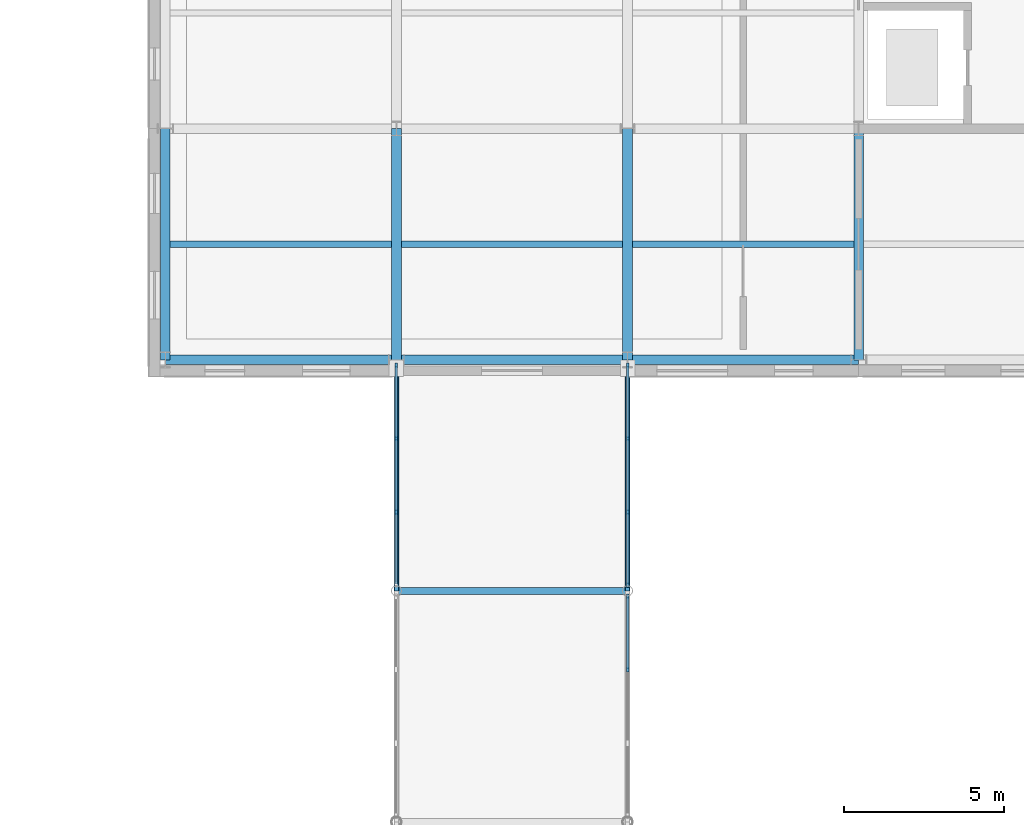
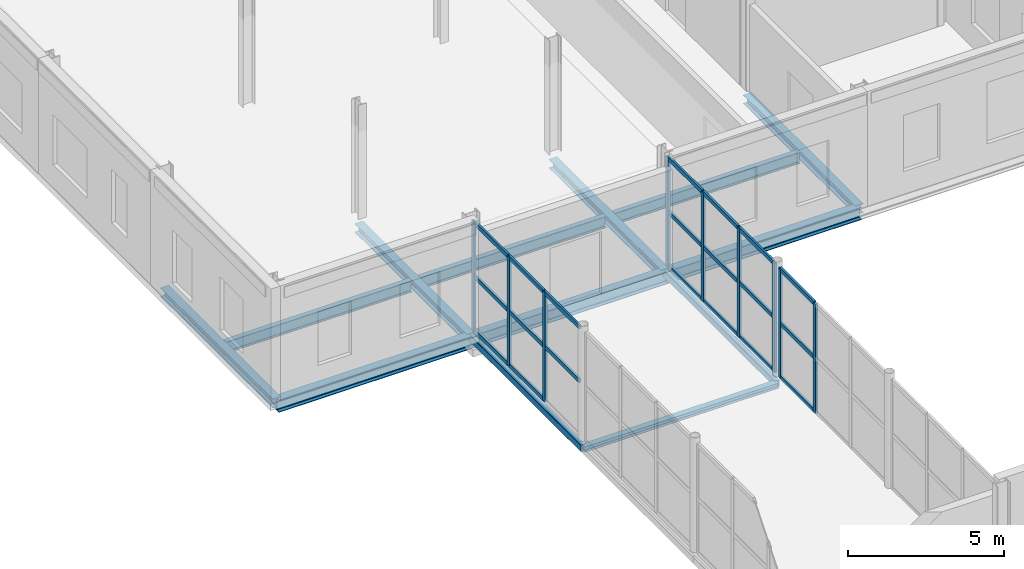
# One storey, part 24 of 92: 29 members, 13 beams, 3 elements without a shape of their own.
"""IFC4 building model written with IfcOpenShell, lengths in metres."""

from ifc_helpers import new_model, si_unit, direction, frame, origin, origin_2d, place, context, subcontext, project, spatial, rectangle, hollow_rectangle, i_section, extrude, material, material_profile, profile_set, type_object, element, aggregate, save


model = new_model("IFC4")

# Units and contexts
model_context = context("Model", 3, precision=1e-05, world=origin(), true_north=direction((0.0, 1.0)))
body_context = subcontext(model_context, "Body", "Model", "MODEL_VIEW")
ifc_project = project(units=[si_unit("LENGTHUNIT", "METRE"), si_unit("AREAUNIT", "SQUARE_METRE"), si_unit("VOLUMEUNIT", "CUBIC_METRE"), si_unit("PLANEANGLEUNIT", "RADIAN"), si_unit("MASSUNIT", "GRAM", prefix="KILO")], contexts=[model_context])

# Site, building, storey
site_placement = place(None, origin())
site = spatial("IfcSite", under=ifc_project, at=site_placement, CompositionType="ELEMENT")
building_placement = place(site_placement, origin())
building = spatial("IfcBuilding", under=site, at=building_placement, Name="Zlatovets Crest Museum", CompositionType="ELEMENT")
storey_placement = place(building_placement, origin())
storey = spatial("IfcBuildingStorey", under=building, at=storey_placement, Name="L00", CompositionType="ELEMENT", Elevation=0.0)

# Beams
ifc_material_1 = material(Name="Structural steel S355J2", Category="steel")
ifc_material_profile_1 = material_profile(ifc_material_1, i_section(OverallWidth=0.300048828125, OverallDepth=0.489990234375, WebThickness=0.011962890625, FlangeThickness=0.02294921875, FilletRadius=0.027099609375, at=origin_2d()), Name="HEA 500")
ifc_profile_set_1 = profile_set([ifc_material_profile_1], Name="Structural steel S355J2")
beam_type_1 = type_object("IfcBeamType", Name="Beam_B-01", PredefinedType="BEAM", material=ifc_profile_set_1)
beam_1_placement = place(storey_placement, frame((7.199951171875, 50.39990234375, -0.4951171875), z_axis=(1.0, 0.0, 0.0), x_axis=(0.0, 1.0, 0.0)))
element("IfcBeam", 1, at=beam_1_placement, inside=storey, type_object=beam_type_1, Name="V4 L00 Primary Girder B-01", PredefinedType="BEAM", context=body_context, shape_type="SweptSolid", body=[
    extrude(i_section(OverallWidth=0.300048828125, OverallDepth=0.489990234375, WebThickness=0.011962890625, FlangeThickness=0.02294921875, FilletRadius=0.027099609375, at=origin_2d()), origin(), (0.0, 0.0, 1.0), 7.199951171875),
])
beam_2_placement = place(storey_placement, frame((14.39990234375, 50.39990234375, -0.4951171875), z_axis=(1.0, 0.0, 0.0), x_axis=(0.0, 1.0, 0.0)))
element("IfcBeam", 2, at=beam_2_placement, inside=storey, type_object=beam_type_1, Name="V4 L00 Primary Girder B-01", PredefinedType="BEAM", context=body_context, shape_type="SweptSolid", body=[
    extrude(i_section(OverallWidth=0.300048828125, OverallDepth=0.489990234375, WebThickness=0.011962890625, FlangeThickness=0.02294921875, FilletRadius=0.027099609375, at=origin_2d()), origin(), (0.0, 0.0, 1.0), 7.2001953125),
])
beam_3_placement = place(storey_placement, frame((21.60009765625, 50.39990234375, -0.4951171875), z_axis=(1.0, 0.0, 0.0), x_axis=(0.0, 1.0, 0.0)))
element("IfcBeam", 3, at=beam_3_placement, inside=storey, type_object=beam_type_1, Name="V4 L00 Primary Girder B-01", PredefinedType="BEAM", context=body_context, shape_type="SweptSolid", body=[
    extrude(i_section(OverallWidth=0.300048828125, OverallDepth=0.489990234375, WebThickness=0.011962890625, FlangeThickness=0.02294921875, FilletRadius=0.027099609375, at=origin_2d()), origin(), (0.0, 0.0, 1.0), 7.199951171875),
])
ifc_material_profile_2 = material_profile(ifc_material_1, i_section(OverallWidth=0.300048828125, OverallDepth=0.35009765625, WebThickness=0.010009765625, FlangeThickness=0.017578125, FilletRadius=0.027099609375, at=origin_2d()), Name="HEA 360")
ifc_profile_set_2 = profile_set([ifc_material_profile_2], Name="Structural steel S355J2")
beam_type_2 = type_object("IfcBeamType", Name="Beam_B-03", PredefinedType="BEAM", material=ifc_profile_set_2)
for number, where, z_axis, x_axis, name in (
    (4, (7.199951171875, 50.39990234375, -0.425048828125), (0.0, 1.0, 0.0), (-1.0, 0.0, 0.0), "V4 L00 Grid Beam B-03"),
    (5, (14.39990234375, 50.39990234375, -0.425048828125), (0.0, 1.0, 0.0), (-1.0, 0.0, 0.0), "V4 L00 Grid Beam B-03"),
    (6, (21.60009765625, 50.39990234375, -0.425048828125), (0.0, 1.0, 0.0), (-1.0, 0.0, 0.0), "V4 L00 Grid Beam B-03"),
    (7, (28.800048828125, 50.39990234375, -0.425048828125), (0.0, 1.0, 0.0), (-1.0, 0.0, 0.0), "V4 L00 Grid Beam B-03"),
):
    element("IfcBeam", number, at=place(storey_placement, frame(where, z_axis=z_axis, x_axis=x_axis)), inside=storey, type_object=beam_type_2, Name=name, PredefinedType="BEAM", context=body_context, shape_type="SweptSolid", body=[
        extrude(i_section(OverallWidth=0.300048828125, OverallDepth=0.35009765625, WebThickness=0.010009765625, FlangeThickness=0.017578125, FilletRadius=0.027099609375, at=origin_2d()), origin(), (0.0, 0.0, 1.0), 7.2001953125),
    ])
ifc_material_profile_3 = material_profile(ifc_material_1, i_section(OverallWidth=0.219970703125, OverallDepth=0.2099609375, WebThickness=0.007080078125, FlangeThickness=0.010986328125, FilletRadius=0.01806640625, at=origin_2d()), Name="HEA 220")
ifc_profile_set_3 = profile_set([ifc_material_profile_3], Name="Structural steel S355J2")
beam_type_3 = type_object("IfcBeamType", Name="Beam_B-14", PredefinedType="BEAM", material=ifc_profile_set_3)
beam_4_placement = place(storey_placement, frame((14.39990234375, 43.199951171875, -0.3798828125), z_axis=(1.0, 0.0, 0.0), x_axis=(0.0, 1.0, 0.0)))
element("IfcBeam", 8, at=beam_4_placement, inside=storey, type_object=beam_type_3, Name="West Hillside Glazed Link Bridge L00 Cross Beam", PredefinedType="BEAM", context=body_context, shape_type="SweptSolid", body=[
    extrude(i_section(OverallWidth=0.219970703125, OverallDepth=0.2099609375, WebThickness=0.007080078125, FlangeThickness=0.010986328125, FilletRadius=0.01806640625, at=origin_2d()), origin(), (0.0, 0.0, 1.0), 7.2001953125),
])
ifc_material_profile_4 = material_profile(ifc_material_1, hollow_rectangle(XDim=0.159912109375, YDim=0.260009765625, WallThickness=0.010009765625, InnerFilletRadius=0.010009765625, OuterFilletRadius=0.02001953125, at=origin_2d()), Name="RHS 160x260x10.0")
ifc_profile_set_4 = profile_set([ifc_material_profile_4], Name="Structural steel S355J2")
beam_type_4 = type_object("IfcBeamType", Name="Beam_BRG-02", PredefinedType="BEAM", material=ifc_profile_set_4)
for number, where, z_axis, x_axis, name in (
    (9, (14.39990234375, 43.199951171875, -0.3798828125), (0.0, 1.0, 0.0), (-1.0, 0.0, 0.0), "West Hillside Glazed Link Bridge L00 Stringer Beam"),
    (10, (21.60009765625, 43.199951171875, -0.3798828125), (0.0, 1.0, 0.0), (-1.0, 0.0, 0.0), "West Hillside Glazed Link Bridge L00 Stringer Beam"),
):
    element("IfcBeam", number, at=place(storey_placement, frame(where, z_axis=z_axis, x_axis=x_axis)), inside=storey, type_object=beam_type_4, Name=name, PredefinedType="BEAM", context=body_context, shape_type="SweptSolid", body=[
        extrude(hollow_rectangle(XDim=0.159912109375, YDim=0.260009765625, WallThickness=0.010009765625, InnerFilletRadius=0.010009765625, OuterFilletRadius=0.02001953125, at=origin_2d()), origin(), (0.0, 0.0, 1.0), 7.199951171875),
    ])
ifc_material_profile_5 = material_profile(ifc_material_1, i_section(OverallWidth=0.18994140625, OverallDepth=0.449951171875, WebThickness=0.009521484375, FlangeThickness=0.0146484375, FilletRadius=0.02099609375, at=origin_2d()), Name="IPE 450")
ifc_profile_set_5 = profile_set([ifc_material_profile_5], Name="Structural steel S355J2")
beam_type_5 = type_object("IfcBeamType", Name="Beam_J-05", PredefinedType="JOIST", material=ifc_profile_set_5)
for number, where, z_axis, x_axis, name in (
    (11, (7.35009765625, 54.0, -0.47509765625), (1.0, 0.0, 0.0), (0.0, 1.0, 0.0), "V4 L00 Composite Joist J-05"),
    (12, (14.550048828125, 54.0, -0.47509765625), (1.0, 0.0, 0.0), (0.0, 1.0, 0.0), "V4 L00 Composite Joist J-05"),
    (13, (21.75, 54.0, -0.47509765625), (1.0, 0.0, 0.0), (0.0, 1.0, 0.0), "V4 L00 Composite Joist J-05"),
):
    element("IfcBeam", number, at=place(storey_placement, frame(where, z_axis=z_axis, x_axis=x_axis)), inside=storey, type_object=beam_type_5, Name=name, PredefinedType="JOIST", context=body_context, shape_type="SweptSolid", body=[
        extrude(i_section(OverallWidth=0.18994140625, OverallDepth=0.449951171875, WebThickness=0.009521484375, FlangeThickness=0.0146484375, FilletRadius=0.02099609375, at=origin_2d()), origin(), (0.0, 0.0, 1.0), 6.89990234375),
    ])

# Curtain wall, members
ifc_material_2 = material(Name="Bronze-anodised aluminium and low-E triple glass", Category="aluminium")
curtain_wall_type = type_object("IfcCurtainWallType", Name="CW_CW-BR2-L00-S69", PredefinedType="NOTDEFINED", material=ifc_material_2)
curtain_wall_1_placement = place(storey_placement, origin())
curtain_wall_1 = element("IfcCurtainWall", 14, at=curtain_wall_1_placement, inside=storey, type_object=curtain_wall_type, Name="West Hillside Glazed Link Bridge L00 Glazed Bridge Curtain Wall", PredefinedType="NOTDEFINED")
ifc_material_3 = material(Name="Bronze-anodised aluminium EN AW-6060", Category="aluminium")
ifc_material_profile_6 = material_profile(ifc_material_3, rectangle(XDim=0.080078125, YDim=0.159912109375, at=origin_2d()), Name="ALU 80x160")
ifc_profile_set_6 = profile_set([ifc_material_profile_6], Name="Bronze-anodised aluminium EN AW-6060")
member_type_1 = type_object("IfcMemberType", Name="CWMull_M1", PredefinedType="MULLION", material=ifc_profile_set_6)
member_1_placement = place(storey_placement, frame((14.39990234375, 45.64990234375, 0.0), z_axis=(0.0, 0.0, 1.0), x_axis=(-1.0, 0.0, 0.0)))
member_1 = element("IfcMember", 15, at=member_1_placement, type_object=member_type_1, Name="CW-BR2-L00-S69 mullion 2", PredefinedType="MULLION", context=body_context, shape_type="SweptSolid", body=[
    extrude(rectangle(XDim=0.080078125, YDim=0.159912109375, at=origin_2d()), origin(), (0.0, 0.0, 1.0), 4.280029296875),
])
member_2_placement = place(storey_placement, frame((14.39990234375, 47.949951171875, 0.0), z_axis=(0.0, 0.0, 1.0), x_axis=(-1.0, 0.0, 0.0)))
member_2 = element("IfcMember", 16, at=member_2_placement, type_object=member_type_1, Name="CW-BR2-L00-S69 mullion 3", PredefinedType="MULLION", context=body_context, shape_type="SweptSolid", body=[
    extrude(rectangle(XDim=0.080078125, YDim=0.159912109375, at=origin_2d()), origin(), (0.0, 0.0, 1.0), 4.280029296875),
])
member_3_placement = place(storey_placement, frame((14.39990234375, 50.219970703125, 0.0), z_axis=(0.0, 0.0, 1.0), x_axis=(-1.0, 0.0, 0.0)))
member_3 = element("IfcMember", 17, at=member_3_placement, type_object=member_type_1, Name="CW-BR2-L00-S69 mullion 4", PredefinedType="MULLION", context=body_context, shape_type="SweptSolid", body=[
    extrude(rectangle(XDim=0.080078125, YDim=0.159912109375, at=origin_2d()), origin(), (0.0, 0.0, 1.0), 4.280029296875),
])

curtain_wall_2_placement = place(storey_placement, origin())
curtain_wall_2 = element("IfcCurtainWall", 18, at=curtain_wall_2_placement, inside=storey, type_object=curtain_wall_type, Name="West Hillside Glazed Link Bridge L00 Glazed Bridge Curtain Wall", PredefinedType="NOTDEFINED")
member_4_placement = place(storey_placement, frame((21.60009765625, 40.75, 0.0), z_axis=(0.0, 0.0, 1.0), x_axis=(-1.0, 0.0, 0.0)))
member_4 = element("IfcMember", 19, at=member_4_placement, type_object=member_type_1, Name="CW-BR2-L00-S69 mullion 3", PredefinedType="MULLION", context=body_context, shape_type="SweptSolid", body=[
    extrude(rectangle(XDim=0.080078125, YDim=0.159912109375, at=origin_2d()), origin(), (0.0, 0.0, 1.0), 4.280029296875),
])
member_5_placement = place(storey_placement, frame((21.60009765625, 43.02001953125, 0.0), z_axis=(0.0, 0.0, 1.0), x_axis=(-1.0, 0.0, 0.0)))
member_5 = element("IfcMember", 20, at=member_5_placement, type_object=member_type_1, Name="CW-BR2-L00-S69 mullion 4", PredefinedType="MULLION", context=body_context, shape_type="SweptSolid", body=[
    extrude(rectangle(XDim=0.080078125, YDim=0.159912109375, at=origin_2d()), origin(), (0.0, 0.0, 1.0), 4.280029296875),
])

curtain_wall_3_placement = place(storey_placement, origin())
curtain_wall_3 = element("IfcCurtainWall", 21, at=curtain_wall_3_placement, inside=storey, type_object=curtain_wall_type, Name="West Hillside Glazed Link Bridge L00 Glazed Bridge Curtain Wall", PredefinedType="NOTDEFINED")
member_6_placement = place(storey_placement, frame((21.60009765625, 43.3798828125, 0.0), z_axis=(0.0, 0.0, 1.0), x_axis=(-1.0, 0.0, 0.0)))
member_6 = element("IfcMember", 22, at=member_6_placement, type_object=member_type_1, Name="CW-BR2-L00-S69 mullion 1", PredefinedType="MULLION", context=body_context, shape_type="SweptSolid", body=[
    extrude(rectangle(XDim=0.080078125, YDim=0.159912109375, at=origin_2d()), origin(), (0.0, 0.0, 1.0), 4.280029296875),
])
member_7_placement = place(storey_placement, frame((21.60009765625, 45.64990234375, 0.0), z_axis=(0.0, 0.0, 1.0), x_axis=(-1.0, 0.0, 0.0)))
member_7 = element("IfcMember", 23, at=member_7_placement, type_object=member_type_1, Name="CW-BR2-L00-S69 mullion 2", PredefinedType="MULLION", context=body_context, shape_type="SweptSolid", body=[
    extrude(rectangle(XDim=0.080078125, YDim=0.159912109375, at=origin_2d()), origin(), (0.0, 0.0, 1.0), 4.280029296875),
])
member_8_placement = place(storey_placement, frame((21.60009765625, 47.949951171875, 0.0), z_axis=(0.0, 0.0, 1.0), x_axis=(-1.0, 0.0, 0.0)))
member_8 = element("IfcMember", 24, at=member_8_placement, type_object=member_type_1, Name="CW-BR2-L00-S69 mullion 3", PredefinedType="MULLION", context=body_context, shape_type="SweptSolid", body=[
    extrude(rectangle(XDim=0.080078125, YDim=0.159912109375, at=origin_2d()), origin(), (0.0, 0.0, 1.0), 4.280029296875),
])
member_9_placement = place(storey_placement, frame((21.60009765625, 50.219970703125, 0.0), z_axis=(0.0, 0.0, 1.0), x_axis=(-1.0, 0.0, 0.0)))
member_9 = element("IfcMember", 25, at=member_9_placement, type_object=member_type_1, Name="CW-BR2-L00-S69 mullion 4", PredefinedType="MULLION", context=body_context, shape_type="SweptSolid", body=[
    extrude(rectangle(XDim=0.080078125, YDim=0.159912109375, at=origin_2d()), origin(), (0.0, 0.0, 1.0), 4.280029296875),
])

# Member
ifc_material_profile_7 = material_profile(ifc_material_3, rectangle(XDim=0.080078125, YDim=0.159912109375, at=origin_2d()), Name="ALU 80x160")
ifc_profile_set_7 = profile_set([ifc_material_profile_7], Name="Bronze-anodised aluminium EN AW-6060")
member_type_2 = type_object("IfcMemberType", Name="CWTrans_T1", PredefinedType="USERDEFINED", material=ifc_profile_set_7)
member_10_placement = place(storey_placement, frame((14.39990234375, 43.409912109375, 2.139892578125), z_axis=(0.0, 1.0, 0.0), x_axis=(-1.0, 0.0, 0.0)))
member_10 = element("IfcMember", 26, at=member_10_placement, type_object=member_type_2, Name="CW-BR2-L00-S69 transom 1.2", ObjectType="TRANSOM", PredefinedType="USERDEFINED", context=body_context, shape_type="SweptSolid", body=[
    extrude(rectangle(XDim=0.080078125, YDim=0.159912109375, at=origin_2d()), origin(), (0.0, 0.0, 1.0), 2.210205078125),
])

member_11_placement = place(storey_placement, frame((14.39990234375, 43.409912109375, 4.25), z_axis=(0.0, 1.0, 0.0), x_axis=(-1.0, 0.0, 0.0)))
member_11 = element("IfcMember", 27, at=member_11_placement, type_object=member_type_2, Name="CW-BR2-L00-S69 transom 1.3", ObjectType="TRANSOM", PredefinedType="USERDEFINED", context=body_context, shape_type="SweptSolid", body=[
    extrude(rectangle(XDim=0.080078125, YDim=0.159912109375, at=origin_2d()), origin(), (0.0, 0.0, 1.0), 2.210205078125),
])

member_12_placement = place(storey_placement, frame((14.39990234375, 45.679931640625, 0.030029296875), z_axis=(0.0, 1.0, 0.0), x_axis=(-1.0, 0.0, 0.0)))
member_12 = element("IfcMember", 28, at=member_12_placement, type_object=member_type_2, Name="CW-BR2-L00-S69 transom 2.1", ObjectType="TRANSOM", PredefinedType="USERDEFINED", context=body_context, shape_type="SweptSolid", body=[
    extrude(rectangle(XDim=0.080078125, YDim=0.159912109375, at=origin_2d()), origin(), (0.0, 0.0, 1.0), 2.239990234375),
])

member_13_placement = place(storey_placement, frame((14.39990234375, 45.679931640625, 2.139892578125), z_axis=(0.0, 1.0, 0.0), x_axis=(-1.0, 0.0, 0.0)))
member_13 = element("IfcMember", 29, at=member_13_placement, type_object=member_type_2, Name="CW-BR2-L00-S69 transom 2.2", ObjectType="TRANSOM", PredefinedType="USERDEFINED", context=body_context, shape_type="SweptSolid", body=[
    extrude(rectangle(XDim=0.080078125, YDim=0.159912109375, at=origin_2d()), origin(), (0.0, 0.0, 1.0), 2.239990234375),
])

member_14_placement = place(storey_placement, frame((14.39990234375, 45.679931640625, 4.25), z_axis=(0.0, 1.0, 0.0), x_axis=(-1.0, 0.0, 0.0)))
member_14 = element("IfcMember", 30, at=member_14_placement, type_object=member_type_2, Name="CW-BR2-L00-S69 transom 2.3", ObjectType="TRANSOM", PredefinedType="USERDEFINED", context=body_context, shape_type="SweptSolid", body=[
    extrude(rectangle(XDim=0.080078125, YDim=0.159912109375, at=origin_2d()), origin(), (0.0, 0.0, 1.0), 2.239990234375),
])

member_15_placement = place(storey_placement, frame((14.39990234375, 47.97998046875, 0.030029296875), z_axis=(0.0, 1.0, 0.0), x_axis=(-1.0, 0.0, 0.0)))
member_15 = element("IfcMember", 31, at=member_15_placement, type_object=member_type_2, Name="CW-BR2-L00-S69 transom 3.1", ObjectType="TRANSOM", PredefinedType="USERDEFINED", context=body_context, shape_type="SweptSolid", body=[
    extrude(rectangle(XDim=0.080078125, YDim=0.159912109375, at=origin_2d()), origin(), (0.0, 0.0, 1.0), 2.2099609375),
])

member_16_placement = place(storey_placement, frame((14.39990234375, 47.97998046875, 2.139892578125), z_axis=(0.0, 1.0, 0.0), x_axis=(-1.0, 0.0, 0.0)))
member_16 = element("IfcMember", 32, at=member_16_placement, type_object=member_type_2, Name="CW-BR2-L00-S69 transom 3.2", ObjectType="TRANSOM", PredefinedType="USERDEFINED", context=body_context, shape_type="SweptSolid", body=[
    extrude(rectangle(XDim=0.080078125, YDim=0.159912109375, at=origin_2d()), origin(), (0.0, 0.0, 1.0), 2.2099609375),
])

member_17_placement = place(storey_placement, frame((14.39990234375, 47.97998046875, 4.25), z_axis=(0.0, 1.0, 0.0), x_axis=(-1.0, 0.0, 0.0)))
member_17 = element("IfcMember", 33, at=member_17_placement, type_object=member_type_2, Name="CW-BR2-L00-S69 transom 3.3", ObjectType="TRANSOM", PredefinedType="USERDEFINED", context=body_context, shape_type="SweptSolid", body=[
    extrude(rectangle(XDim=0.080078125, YDim=0.159912109375, at=origin_2d()), origin(), (0.0, 0.0, 1.0), 2.2099609375),
])

aggregate(curtain_wall_1, [member_1, member_2, member_3, member_10, member_11, member_12, member_13, member_14, member_15, member_16, member_17])

member_18_placement = place(storey_placement, frame((21.60009765625, 40.780029296875, 0.030029296875), z_axis=(0.0, 1.0, 0.0), x_axis=(-1.0, 0.0, 0.0)))
member_18 = element("IfcMember", 34, at=member_18_placement, type_object=member_type_2, Name="CW-BR2-L00-S69 transom 3.1", ObjectType="TRANSOM", PredefinedType="USERDEFINED", context=body_context, shape_type="SweptSolid", body=[
    extrude(rectangle(XDim=0.080078125, YDim=0.159912109375, at=origin_2d()), origin(), (0.0, 0.0, 1.0), 2.2099609375),
])

member_19_placement = place(storey_placement, frame((21.60009765625, 40.780029296875, 2.139892578125), z_axis=(0.0, 1.0, 0.0), x_axis=(-1.0, 0.0, 0.0)))
member_19 = element("IfcMember", 35, at=member_19_placement, type_object=member_type_2, Name="CW-BR2-L00-S69 transom 3.2", ObjectType="TRANSOM", PredefinedType="USERDEFINED", context=body_context, shape_type="SweptSolid", body=[
    extrude(rectangle(XDim=0.080078125, YDim=0.159912109375, at=origin_2d()), origin(), (0.0, 0.0, 1.0), 2.2099609375),
])

member_20_placement = place(storey_placement, frame((21.60009765625, 40.780029296875, 4.25), z_axis=(0.0, 1.0, 0.0), x_axis=(-1.0, 0.0, 0.0)))
member_20 = element("IfcMember", 36, at=member_20_placement, type_object=member_type_2, Name="CW-BR2-L00-S69 transom 3.3", ObjectType="TRANSOM", PredefinedType="USERDEFINED", context=body_context, shape_type="SweptSolid", body=[
    extrude(rectangle(XDim=0.080078125, YDim=0.159912109375, at=origin_2d()), origin(), (0.0, 0.0, 1.0), 2.2099609375),
])

aggregate(curtain_wall_2, [member_4, member_5, member_18, member_19, member_20])

member_21_placement = place(storey_placement, frame((21.60009765625, 43.409912109375, 0.030029296875), z_axis=(0.0, 1.0, 0.0), x_axis=(-1.0, 0.0, 0.0)))
member_21 = element("IfcMember", 37, at=member_21_placement, type_object=member_type_2, Name="CW-BR2-L00-S69 transom 1.1", ObjectType="TRANSOM", PredefinedType="USERDEFINED", context=body_context, shape_type="SweptSolid", body=[
    extrude(rectangle(XDim=0.080078125, YDim=0.159912109375, at=origin_2d()), origin(), (0.0, 0.0, 1.0), 2.210205078125),
])

member_22_placement = place(storey_placement, frame((21.60009765625, 43.409912109375, 2.139892578125), z_axis=(0.0, 1.0, 0.0), x_axis=(-1.0, 0.0, 0.0)))
member_22 = element("IfcMember", 38, at=member_22_placement, type_object=member_type_2, Name="CW-BR2-L00-S69 transom 1.2", ObjectType="TRANSOM", PredefinedType="USERDEFINED", context=body_context, shape_type="SweptSolid", body=[
    extrude(rectangle(XDim=0.080078125, YDim=0.159912109375, at=origin_2d()), origin(), (0.0, 0.0, 1.0), 2.210205078125),
])

member_23_placement = place(storey_placement, frame((21.60009765625, 43.409912109375, 4.25), z_axis=(0.0, 1.0, 0.0), x_axis=(-1.0, 0.0, 0.0)))
member_23 = element("IfcMember", 39, at=member_23_placement, type_object=member_type_2, Name="CW-BR2-L00-S69 transom 1.3", ObjectType="TRANSOM", PredefinedType="USERDEFINED", context=body_context, shape_type="SweptSolid", body=[
    extrude(rectangle(XDim=0.080078125, YDim=0.159912109375, at=origin_2d()), origin(), (0.0, 0.0, 1.0), 2.210205078125),
])

member_24_placement = place(storey_placement, frame((21.60009765625, 45.679931640625, 0.030029296875), z_axis=(0.0, 1.0, 0.0), x_axis=(-1.0, 0.0, 0.0)))
member_24 = element("IfcMember", 40, at=member_24_placement, type_object=member_type_2, Name="CW-BR2-L00-S69 transom 2.1", ObjectType="TRANSOM", PredefinedType="USERDEFINED", context=body_context, shape_type="SweptSolid", body=[
    extrude(rectangle(XDim=0.080078125, YDim=0.159912109375, at=origin_2d()), origin(), (0.0, 0.0, 1.0), 2.239990234375),
])

member_25_placement = place(storey_placement, frame((21.60009765625, 45.679931640625, 2.139892578125), z_axis=(0.0, 1.0, 0.0), x_axis=(-1.0, 0.0, 0.0)))
member_25 = element("IfcMember", 41, at=member_25_placement, type_object=member_type_2, Name="CW-BR2-L00-S69 transom 2.2", ObjectType="TRANSOM", PredefinedType="USERDEFINED", context=body_context, shape_type="SweptSolid", body=[
    extrude(rectangle(XDim=0.080078125, YDim=0.159912109375, at=origin_2d()), origin(), (0.0, 0.0, 1.0), 2.239990234375),
])

member_26_placement = place(storey_placement, frame((21.60009765625, 45.679931640625, 4.25), z_axis=(0.0, 1.0, 0.0), x_axis=(-1.0, 0.0, 0.0)))
member_26 = element("IfcMember", 42, at=member_26_placement, type_object=member_type_2, Name="CW-BR2-L00-S69 transom 2.3", ObjectType="TRANSOM", PredefinedType="USERDEFINED", context=body_context, shape_type="SweptSolid", body=[
    extrude(rectangle(XDim=0.080078125, YDim=0.159912109375, at=origin_2d()), origin(), (0.0, 0.0, 1.0), 2.239990234375),
])

member_27_placement = place(storey_placement, frame((21.60009765625, 47.97998046875, 0.030029296875), z_axis=(0.0, 1.0, 0.0), x_axis=(-1.0, 0.0, 0.0)))
member_27 = element("IfcMember", 43, at=member_27_placement, type_object=member_type_2, Name="CW-BR2-L00-S69 transom 3.1", ObjectType="TRANSOM", PredefinedType="USERDEFINED", context=body_context, shape_type="SweptSolid", body=[
    extrude(rectangle(XDim=0.080078125, YDim=0.159912109375, at=origin_2d()), origin(), (0.0, 0.0, 1.0), 2.2099609375),
])

member_28_placement = place(storey_placement, frame((21.60009765625, 47.97998046875, 2.139892578125), z_axis=(0.0, 1.0, 0.0), x_axis=(-1.0, 0.0, 0.0)))
member_28 = element("IfcMember", 44, at=member_28_placement, type_object=member_type_2, Name="CW-BR2-L00-S69 transom 3.2", ObjectType="TRANSOM", PredefinedType="USERDEFINED", context=body_context, shape_type="SweptSolid", body=[
    extrude(rectangle(XDim=0.080078125, YDim=0.159912109375, at=origin_2d()), origin(), (0.0, 0.0, 1.0), 2.2099609375),
])

member_29_placement = place(storey_placement, frame((21.60009765625, 47.97998046875, 4.25), z_axis=(0.0, 1.0, 0.0), x_axis=(-1.0, 0.0, 0.0)))
member_29 = element("IfcMember", 45, at=member_29_placement, type_object=member_type_2, Name="CW-BR2-L00-S69 transom 3.3", ObjectType="TRANSOM", PredefinedType="USERDEFINED", context=body_context, shape_type="SweptSolid", body=[
    extrude(rectangle(XDim=0.080078125, YDim=0.159912109375, at=origin_2d()), origin(), (0.0, 0.0, 1.0), 2.2099609375),
])

aggregate(curtain_wall_3, [member_6, member_7, member_8, member_9, member_21, member_22, member_23, member_24, member_25, member_26, member_27, member_28, member_29])

save(model, "model.ifc")
